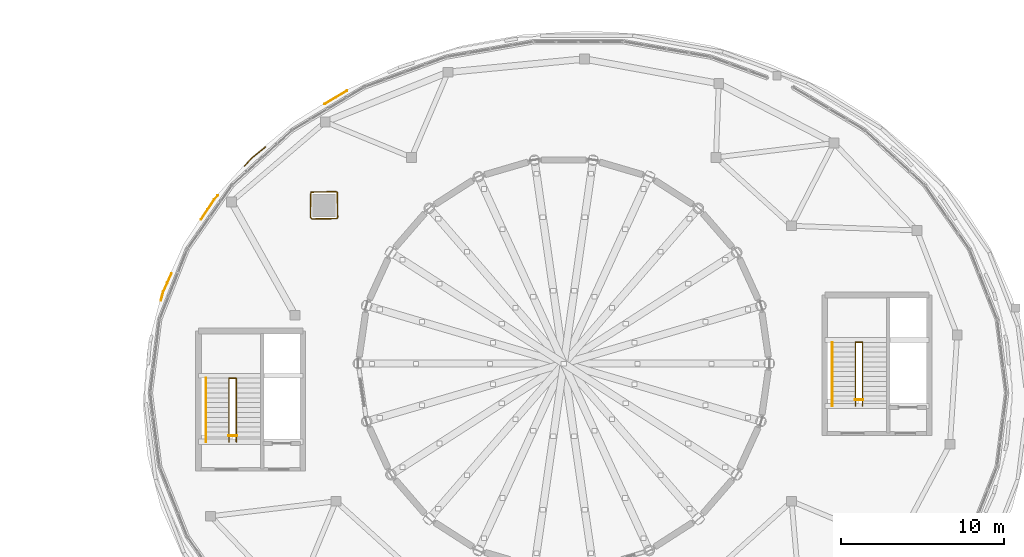
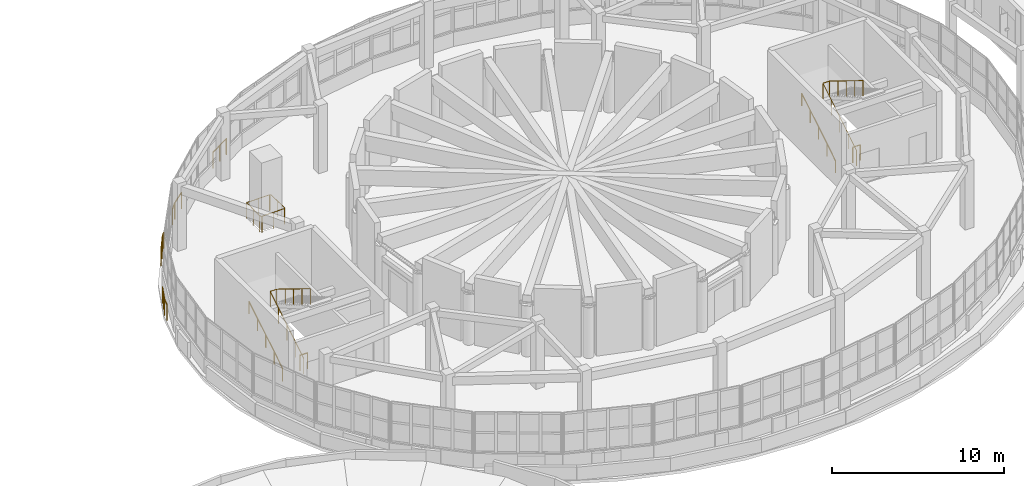
# One storey, part 67 of 69: 12 railings.
"""IFC4 building model written with IfcOpenShell, lengths in metres."""

import ifcopenshell
import ifcopenshell.guid

model = None  # the IFC model being written
_history = None  # IfcOwnerHistory: only IFC2X3 demands one
_inside = {}  # id of a spatial element -> (the spatial element, [elements in it])
_under = {}  # id of a project, library or spatial element -> (it, [spatial elements below it])
_declared = {}  # id of a project -> (the project, [libraries it declares])
_typed = {}  # id of a type object -> (the type object, [elements of that type])
_made_of = {}  # id of a material, layer set ... -> (it, [elements and type objects made of it])


def new_model(schema):
    """Start an empty IFC model of exactly this schema.

    Asked for "IFC4X3", IfcOpenShell would pick the latest addendum, in which some entities
    have other attributes; the version numbers below select the first issue.
    IFC2X3 requires an IfcOwnerHistory on every rooted entity: one is made here for all.
    """
    global model, _history
    if schema == "IFC4X3":
        model = ifcopenshell.file(schema_version=(4, 3, 0, 0))
    else:
        model = ifcopenshell.file(schema=schema)
    _inside.clear()
    _under.clear()
    _declared.clear()
    _typed.clear()
    _made_of.clear()
    _history = None
    if model.schema == "IFC2X3":
        org = make("IfcOrganization", Name="unknown")
        user = make(
            "IfcPersonAndOrganization",
            ThePerson=make("IfcPerson", FamilyName="unknown"),
            TheOrganization=org,
        )
        app = make(
            "IfcApplication",
            ApplicationDeveloper=org,
            Version="unknown",
            ApplicationFullName="unknown",
            ApplicationIdentifier="unknown",
        )
        _history = make(
            "IfcOwnerHistory",
            OwningUser=user,
            OwningApplication=app,
            ChangeAction="ADDED",
            CreationDate=0,
        )
    return model


def make(cls, **values):
    """One entity of the class cls with the attributes given. An attribute that is None is left unset."""
    return model.create_entity(
        cls, **{name: value for name, value in values.items() if value is not None}
    )


def rooted(cls, **values):
    """An entity with a GlobalId (a new one), such as an element, a storey or a relation."""
    return make(cls, GlobalId=ifcopenshell.guid.new(), OwnerHistory=_history, **values)


def si_unit(unit_type, name, prefix=None):
    """IfcSIUnit, for example si_unit("LENGTHUNIT", "METRE", prefix="MILLI")."""
    return make("IfcSIUnit", UnitType=unit_type, Prefix=prefix, Name=name)


def assignment(units):
    """IfcUnitAssignment: the units of a project."""
    return None if units is None else make("IfcUnitAssignment", Units=units)


def point(xyz):
    """IfcCartesianPoint."""
    return None if xyz is None else make("IfcCartesianPoint", Coordinates=xyz)


def direction(xyz):
    """IfcDirection."""
    return None if xyz is None else make("IfcDirection", DirectionRatios=xyz)


def frame(location, z_axis=None, x_axis=None):
    """IfcAxis2Placement3D, a coordinate frame: its origin and axes. An axis left out is left unset."""
    return make(
        "IfcAxis2Placement3D",
        Location=point(location),
        Axis=direction(z_axis),
        RefDirection=direction(x_axis),
    )


def frame_2d(location, x_axis=None):
    """IfcAxis2Placement2D, a coordinate frame in the plane: its origin and x axis."""
    return make(
        "IfcAxis2Placement2D", Location=point(location), RefDirection=direction(x_axis)
    )


def origin():
    """The frame at (0, 0, 0) with its axes left unset."""
    return frame((0.0, 0.0, 0.0))


def origin_2d():
    """The frame at (0, 0) in the plane with its x axis left unset."""
    return frame_2d((0.0, 0.0))


def place(relative_to, where):
    """IfcLocalPlacement: puts the frame where relative to a parent placement (None: the world)."""
    return make(
        "IfcLocalPlacement", PlacementRelTo=relative_to, RelativePlacement=where
    )


def context(
    kind, dimensions, precision=None, world=None, true_north=None, identifier=None
):
    """IfcGeometricRepresentationContext, for example the 3D "Model" context."""
    return make(
        "IfcGeometricRepresentationContext",
        ContextIdentifier=identifier,
        ContextType=kind,
        CoordinateSpaceDimension=dimensions,
        Precision=precision,
        WorldCoordinateSystem=world,
        TrueNorth=true_north,
    )


def subcontext(parent, identifier, kind, view, scale=None):
    """IfcGeometricRepresentationSubContext, for example "Body" below "Model"."""
    return make(
        "IfcGeometricRepresentationSubContext",
        ContextIdentifier=identifier,
        ContextType=kind,
        ParentContext=parent,
        TargetScale=scale,
        TargetView=view,
    )


def project(units=None, contexts=None):
    """IfcProject with its units and contexts."""
    return rooted(
        "IfcProject",
        Name="project",
        RepresentationContexts=contexts,
        UnitsInContext=assignment(units),
    )


def spatial(cls, under=None, at=None, **own):
    """A site, building, storey or space (cls), placed at a placement, below another one or the project."""
    s = rooted(cls, ObjectPlacement=at, **own)
    if under is not None:
        _under.setdefault(under.id(), (under, []))[1].append(s)
    return s


def profile(cls, at=None, kind="AREA", **sizes):
    """A parametric profile (cls). Its sizes go by their IFC names, for example OverallWidth=200.0."""
    return make(cls, ProfileType=kind, Position=at, **sizes)


def circle(**sizes):
    """IfcCircleProfileDef."""
    return profile("IfcCircleProfileDef", **sizes)


def extrude(swept, where, along, depth):
    """IfcExtrudedAreaSolid: the profile swept, set in the frame where, extruded along a direction by depth."""
    return make(
        "IfcExtrudedAreaSolid",
        SweptArea=swept,
        Position=where,
        ExtrudedDirection=direction(along),
        Depth=depth,
    )


def shape(context_of_items, identifier, shape_type, items):
    """IfcShapeRepresentation: the items that make up one representation, for example the "Body"."""
    return make(
        "IfcShapeRepresentation",
        ContextOfItems=context_of_items,
        RepresentationIdentifier=identifier,
        RepresentationType=shape_type,
        Items=items,
    )


def material(Name=None, Category=None):
    """IfcMaterial."""
    return make("IfcMaterial", Name=Name, Category=Category)


def made_of(thing, what):
    """Note that an element or type object is made of a material, layer set ...; save() writes the relation."""
    if what is not None:
        _made_of.setdefault(what.id(), (what, []))[1].append(thing)
    return thing


def type_object(cls, material=None, **own):
    """A type object (cls), such as IfcWallType, which elements share."""
    return made_of(rooted(cls, **own), material)


def element(
    cls,
    number,
    at=None,
    inside=None,
    cuts=None,
    type_object=None,
    material=None,
    context=None,
    identifier="Body",
    shape_type=None,
    held_by="IfcProductDefinitionShape",
    body=None,
    shapes=None,
    **own,
):
    """One element of the class cls, such as IfcWall. Its Tag is "e" and its number.

    at: its placement. inside: the storey or other place that contains it. cuts: it is an
    opening in that element (IfcRelVoidsElement). A single representation is given by context,
    identifier, shape_type and body (its items); several are given by shapes. held_by: the class
    of the entity that holds the representations. save() writes the other relations.
    """
    e = rooted(cls, Tag="e%d" % number, ObjectPlacement=at, **own)
    if body is not None:
        shapes = [shape(context, identifier, shape_type, body)]
    if shapes is not None:
        e.Representation = make(held_by, Representations=shapes)
    if inside is not None:
        _inside.setdefault(inside.id(), (inside, []))[1].append(e)
    if cuts is not None:
        rooted(
            "IfcRelVoidsElement", RelatingBuildingElement=cuts, RelatedOpeningElement=e
        )
    if type_object is not None:
        _typed.setdefault(type_object.id(), (type_object, []))[1].append(e)
    return made_of(e, material)


def aggregate(whole, parts):
    """IfcRelAggregates: a whole, such as a stair, and the parts it consists of."""
    return rooted("IfcRelAggregates", RelatingObject=whole, RelatedObjects=parts)


def save(model, path):
    """Write the relations noted so far, then the file.

    IfcRelAggregates (storeys below a building ...), IfcRelContainedInSpatialStructure (elements
    in a storey), IfcRelDefinesByType, IfcRelAssociatesMaterial and IfcRelDeclares: one each for
    every whole, place, type object, material and project.
    """
    for whole, parts in _under.values():
        aggregate(whole, parts)
    for where, things in _inside.values():
        rooted(
            "IfcRelContainedInSpatialStructure",
            RelatedElements=things,
            RelatingStructure=where,
        )
    for kind, things in _typed.values():
        rooted("IfcRelDefinesByType", RelatedObjects=things, RelatingType=kind)
    for what, things in _made_of.values():
        rooted("IfcRelAssociatesMaterial", RelatedObjects=things, RelatingMaterial=what)
    for by, libraries in _declared.values():
        rooted("IfcRelDeclares", RelatingContext=by, RelatedDefinitions=libraries)
    model.write(path)


model = new_model("IFC4")

# Units and contexts
model_context = context("Model", 3, precision=1e-05, world=origin(), true_north=direction((0.0, 1.0)))
body_context = subcontext(model_context, "Body", "Model", "MODEL_VIEW")
ifc_project = project(units=[si_unit("LENGTHUNIT", "METRE"), si_unit("AREAUNIT", "SQUARE_METRE"), si_unit("VOLUMEUNIT", "CUBIC_METRE"), si_unit("PLANEANGLEUNIT", "RADIAN"), si_unit("MASSUNIT", "GRAM", prefix="KILO")], contexts=[model_context])

# Site, building, storey
site_placement = place(None, origin())
site = spatial("IfcSite", under=ifc_project, at=site_placement, CompositionType="ELEMENT")
building_placement = place(site_placement, origin())
building = spatial("IfcBuilding", under=site, at=building_placement, Name="Pelvatis Terrace Science Centre", CompositionType="ELEMENT")
storey_placement = place(building_placement, frame((0.0, 0.0, 15.0)))
storey = spatial("IfcBuildingStorey", under=building, at=storey_placement, Name="L03", CompositionType="ELEMENT", Elevation=15.0)

# Railings
ifc_material_1 = material(Name="Bronze-anodised aluminium and laminated safety glass balustrade", Category="aluminium")
railing_type_1 = type_object("IfcRailingType", Name="RLG-BAL-1150", PredefinedType="BALUSTRADE", material=ifc_material_1)
railing_1_placement = place(storey_placement, frame((84.502197265625, 89.676513671875, 0.0)))
element("IfcRailing", 1, at=railing_1_placement, inside=storey, type_object=railing_type_1, Name="Perimeter edge balustrade RLG-EDG-L03-343", PredefinedType="BALUSTRADE", context=body_context, shape_type="SweptSolid", body=[
    extrude(circle(Radius=0.02392578125, at=origin_2d()), frame((0.0, 0.0, 1.1259765625), z_axis=(0.25470185943, 0.967019628965, 0.0), x_axis=(-0.967019628965, 0.25470185943, 0.0)), (0.0, 0.0, 1.0), 0.5185546875),
    extrude(circle(Radius=0.02392578125, at=origin_2d()), frame((0.132080078125, 0.50146484375, 1.1259765625), z_axis=(0.411063667156, 0.911606637506, 0.0), x_axis=(-0.911606637506, 0.411063667156, 0.0)), (0.0, 0.0, 1.0), 1.26318359375),
    extrude(circle(Radius=0.02099609375, at=origin_2d()), origin(), (0.0, 0.0, 1.0), 1.101806640625),
    extrude(circle(Radius=0.02099609375, at=origin_2d()), frame((0.132080078125, 0.50146484375, 0.0)), (0.0, 0.0, 1.0), 1.101806640625),
    extrude(circle(Radius=0.02099609375, at=origin_2d()), frame((0.3916015625, 1.0771484375, 0.0)), (0.0, 0.0, 1.0), 1.101806640625),
    extrude(circle(Radius=0.02099609375, at=origin_2d()), frame((0.6513671875, 1.653076171875, 0.0)), (0.0, 0.0, 1.0), 1.101806640625),
])
railing_2_placement = place(storey_placement, frame((86.960693359375, 94.631103515625, 0.0)))
element("IfcRailing", 2, at=railing_2_placement, inside=storey, type_object=railing_type_1, Name="Perimeter edge balustrade RLG-EDG-L03-344", PredefinedType="BALUSTRADE", context=body_context, shape_type="SweptSolid", body=[
    extrude(circle(Radius=0.02392578125, at=origin_2d()), frame((0.0, 0.0, 1.1259765625), z_axis=(0.551013504073, 0.834496326133, 0.0), x_axis=(-0.834496326133, 0.551013504073, 0.0)), (0.0, 0.0, 1.0), 1.46923828125),
    extrude(circle(Radius=0.02392578125, at=origin_2d()), frame((0.8095703125, 1.22607421875, 1.1259765625), z_axis=(0.670853573521, 0.741589834675, 0.0), x_axis=(-0.741589834675, 0.670853573521, 0.0)), (0.0, 0.0, 1.0), 0.321044921875),
    extrude(circle(Radius=0.02099609375, at=origin_2d()), origin(), (0.0, 0.0, 1.0), 1.101806640625),
    extrude(circle(Radius=0.02099609375, at=origin_2d()), frame((0.40478515625, 0.613037109375, 0.0)), (0.0, 0.0, 1.0), 1.101806640625),
    extrude(circle(Radius=0.02099609375, at=origin_2d()), frame((0.8095703125, 1.22607421875, 0.0)), (0.0, 0.0, 1.0), 1.101806640625),
    extrude(circle(Radius=0.02099609375, at=origin_2d()), frame((1.02490234375, 1.464111328125, 0.0)), (0.0, 0.0, 1.0), 1.101806640625),
])
railing_3_placement = place(storey_placement, frame((89.63427734375, 97.91650390625, 0.0)))
element("IfcRailing", 3, at=railing_3_placement, inside=storey, type_object=railing_type_1, Name="Perimeter edge balustrade RLG-EDG-L03-345", PredefinedType="BALUSTRADE", context=body_context, shape_type="SweptSolid", body=[
    extrude(circle(Radius=0.02392578125, at=origin_2d()), frame((0.0, 0.0, 1.1259765625), z_axis=(0.671199650785, 0.741276620963, 0.0), x_axis=(-0.741276620963, 0.671199650785, 0.0)), (0.0, 0.0, 1.0), 0.602783203125),
    extrude(circle(Radius=0.02392578125, at=origin_2d()), frame((0.404541015625, 0.44677734375, 1.1259765625), z_axis=(0.770423985124, 0.637531868338, 0.0), x_axis=(-0.637531868338, 0.770423985124, 0.0)), (0.0, 0.0, 1.0), 1.115234375),
    extrude(circle(Radius=0.02099609375, at=origin_2d()), origin(), (0.0, 0.0, 1.0), 1.101806640625),
    extrude(circle(Radius=0.02099609375, at=origin_2d()), frame((0.404541015625, 0.44677734375, 0.0)), (0.0, 0.0, 1.0), 1.101806640625),
    extrude(circle(Radius=0.02099609375, at=origin_2d()), frame((1.263671875, 1.15771484375, 0.0)), (0.0, 0.0, 1.0), 1.101806640625),
])
railing_4_placement = place(storey_placement, frame((94.541015625, 101.707763671875, 0.0)))
element("IfcRailing", 4, at=railing_4_placement, inside=storey, type_object=railing_type_1, Name="Perimeter edge balustrade RLG-EDG-L03-346", PredefinedType="BALUSTRADE", context=body_context, shape_type="SweptSolid", body=[
    extrude(circle(Radius=0.02392578125, at=origin_2d()), frame((0.0, 0.0, 1.1259765625), z_axis=(0.857816677477, 0.513955783938, 0.0), x_axis=(-0.513955783938, 0.857816677477, 0.0)), (0.0, 0.0, 1.0), 1.59619140625),
    extrude(circle(Radius=0.02099609375, at=origin_2d()), origin(), (0.0, 0.0, 1.0), 1.101806640625),
    extrude(circle(Radius=0.02099609375, at=origin_2d()), frame((0.6845703125, 0.41015625, 0.0)), (0.0, 0.0, 1.0), 1.101806640625),
    extrude(circle(Radius=0.02099609375, at=origin_2d()), frame((1.369140625, 0.8203125, 0.0)), (0.0, 0.0, 1.0), 1.101806640625),
])
railing_5_placement = place(storey_placement, frame((93.6650390625, 94.764892578125, 0.0)))
element("IfcRailing", 5, at=railing_5_placement, inside=storey, type_object=railing_type_1, Name="Perimeter edge balustrade RLG-EDG-L03-380", PredefinedType="BALUSTRADE", context=body_context, shape_type="SweptSolid", body=[
    extrude(circle(Radius=0.02392578125, at=origin_2d()), frame((0.0, 0.0, 1.1259765625), z_axis=(0.69740361411, -0.716678588369, 0.0), x_axis=(0.716678588369, 0.69740361411, 0.0)), (0.0, 0.0, 1.0), 0.139404296875),
    extrude(circle(Radius=0.02392578125, at=origin_2d()), frame((0.09716796875, -0.099853515625, 1.1259765625), z_axis=(0.999842712423, 0.017735569178, 0.0), x_axis=(-0.017735569178, 0.999842712423, 0.0)), (0.0, 0.0, 1.0), 1.541748046875),
    extrude(circle(Radius=0.02392578125, at=origin_2d()), frame((1.638671875, -0.072509765625, 1.1259765625), z_axis=(0.395784388511, 0.918343463967, 0.0), x_axis=(-0.918343463967, 0.395784388511, 0.0)), (0.0, 0.0, 1.0), 0.078857421875),
    extrude(circle(Radius=0.02392578125, at=origin_2d()), frame((1.669921875, 0.0, 1.1259765625), z_axis=(-0.017766511544, 0.999842163078, 0.0), x_axis=(-0.999842163078, -0.017766511544, 0.0)), (0.0, 0.0, 1.0), 1.5390625),
    extrude(circle(Radius=0.02099609375, at=origin_2d()), origin(), (0.0, 0.0, 1.0), 1.101806640625),
    extrude(circle(Radius=0.02099609375, at=origin_2d()), frame((0.09716796875, -0.099853515625, 0.0)), (0.0, 0.0, 1.0), 1.101806640625),
    extrude(circle(Radius=0.02099609375, at=origin_2d()), frame((0.867919921875, -0.086181640625, 0.0)), (0.0, 0.0, 1.0), 1.101806640625),
    extrude(circle(Radius=0.02099609375, at=origin_2d()), frame((1.638671875, -0.072509765625, 0.0)), (0.0, 0.0, 1.0), 1.101806640625),
    extrude(circle(Radius=0.02099609375, at=origin_2d()), frame((1.669921875, 0.0, 0.0)), (0.0, 0.0, 1.0), 1.101806640625),
    extrude(circle(Radius=0.02099609375, at=origin_2d()), frame((1.65625, 0.76953125, 0.0)), (0.0, 0.0, 1.0), 1.101806640625),
    extrude(circle(Radius=0.02099609375, at=origin_2d()), frame((1.642578125, 1.538818359375, 0.0)), (0.0, 0.0, 1.0), 1.101806640625),
])
railing_6_placement = place(storey_placement, frame((95.3076171875, 96.3037109375, 0.0)))
element("IfcRailing", 6, at=railing_6_placement, inside=storey, type_object=railing_type_1, Name="Perimeter edge balustrade RLG-EDG-L03-381", PredefinedType="BALUSTRADE", context=body_context, shape_type="SweptSolid", body=[
    extrude(circle(Radius=0.02392578125, at=origin_2d()), frame((0.0, 0.0, 1.1259765625), z_axis=(-0.918343463967, 0.395784388511, 0.0), x_axis=(-0.395784388511, -0.918343463967, 0.0)), (0.0, 0.0, 1.0), 0.078857421875),
    extrude(circle(Radius=0.02392578125, at=origin_2d()), frame((-0.072509765625, 0.03125, 1.1259765625), z_axis=(-0.999842163078, -0.017766511544, 0.0), x_axis=(0.017766511544, -0.999842163078, 0.0)), (0.0, 0.0, 1.0), 1.5390625),
    extrude(circle(Radius=0.02392578125, at=origin_2d()), frame((-1.611328125, 0.00390625, 1.1259765625), z_axis=(-0.020252215155, -0.999794902858, 0.0), x_axis=(0.999794902858, -0.020252215155, 0.0)), (0.0, 0.0, 1.0), 1.54296875),
    extrude(circle(Radius=0.02099609375, at=origin_2d()), origin(), (0.0, 0.0, 1.0), 1.101806640625),
    extrude(circle(Radius=0.02099609375, at=origin_2d()), frame((-0.072509765625, 0.03125, 0.0)), (0.0, 0.0, 1.0), 1.101806640625),
    extrude(circle(Radius=0.02099609375, at=origin_2d()), frame((-0.841796875, 0.017578125, 0.0)), (0.0, 0.0, 1.0), 1.101806640625),
    extrude(circle(Radius=0.02099609375, at=origin_2d()), frame((-1.611328125, 0.00390625, 0.0)), (0.0, 0.0, 1.0), 1.101806640625),
    extrude(circle(Radius=0.02099609375, at=origin_2d()), frame((-1.626953125, -0.767578125, 0.0)), (0.0, 0.0, 1.0), 1.101806640625),
    extrude(circle(Radius=0.02099609375, at=origin_2d()), frame((-1.642578125, -1.538818359375, 0.0)), (0.0, 0.0, 1.0), 1.101806640625),
])
ifc_material_2 = material(Name="Brushed architectural bronze tubular railing", Category="steel")
railing_type_2 = type_object("IfcRailingType", Name="RLG-GRD-1120", PredefinedType="GUARDRAIL", material=ifc_material_2)
railing_7_placement = place(storey_placement, frame((88.679931640625, 81.0, 0.0)))
element("IfcRailing", 7, at=railing_7_placement, inside=storey, type_object=railing_type_2, Name="Stair ST-01-L03 inner well guardrail", PredefinedType="GUARDRAIL", context=body_context, shape_type="SweptSolid", body=[
    extrude(circle(Radius=0.02392578125, at=origin_2d()), frame((0.0, 0.0, 1.09619140625), z_axis=(0.0, 0.851661977835, 0.524091476281), x_axis=(-1.0, 0.0, 0.0)), (0.0, 0.0, 1.0), 4.5791015625),
    extrude(circle(Radius=0.02392578125, at=origin_2d()), frame((0.0, 3.89990234375, 3.49609375), z_axis=(1.0, 0.0, 0.0), x_axis=(0.0, 1.0, 0.0)), (0.0, 0.0, 1.0), 0.440185546875),
    extrude(circle(Radius=0.02392578125, at=origin_2d()), frame((0.440185546875, 3.89990234375, 3.49609375), z_axis=(0.0, -0.851638180308, 0.5241301459), x_axis=(1.0, 0.0, 0.0)), (0.0, 0.0, 1.0), 4.579345703125),
    extrude(circle(Radius=0.02099609375, at=origin_2d()), origin(), (0.0, 0.0, 1.0), 1.072021484375),
    extrude(circle(Radius=0.02099609375, at=origin_2d()), frame((0.0, 0.97509765625, 0.60009765625)), (0.0, 0.0, 1.0), 1.072021484375),
    extrude(circle(Radius=0.02099609375, at=origin_2d()), frame((0.0, 1.949951171875, 1.199951171875)), (0.0, 0.0, 1.0), 1.072021484375),
    extrude(circle(Radius=0.02099609375, at=origin_2d()), frame((0.0, 2.9248046875, 1.7998046875)), (0.0, 0.0, 1.0), 1.072021484375),
    extrude(circle(Radius=0.02099609375, at=origin_2d()), frame((0.0, 3.89990234375, 2.39990234375)), (0.0, 0.0, 1.0), 1.072021484375),
    extrude(circle(Radius=0.02099609375, at=origin_2d()), frame((0.440185546875, 3.89990234375, 2.39990234375)), (0.0, 0.0, 1.0), 1.072021484375),
    extrude(circle(Radius=0.02099609375, at=origin_2d()), frame((0.440185546875, 2.9248046875, 3.0)), (0.0, 0.0, 1.0), 1.072021484375),
    extrude(circle(Radius=0.02099609375, at=origin_2d()), frame((0.440185546875, 1.949951171875, 3.60009765625)), (0.0, 0.0, 1.0), 1.072021484375),
    extrude(circle(Radius=0.02099609375, at=origin_2d()), frame((0.440185546875, 0.97509765625, 4.199951171875)), (0.0, 0.0, 1.0), 1.072021484375),
    extrude(circle(Radius=0.02099609375, at=origin_2d()), frame((0.440185546875, 0.0, 4.800048828125)), (0.0, 0.0, 1.0), 1.072021484375),
])
railing_8_placement = place(storey_placement, frame((88.64990234375, 81.3798828125, 0.0)))
element("IfcRailing", 8, at=railing_8_placement, inside=storey, type_object=railing_type_2, Name="Core C1 landing well slot guard (L03)", PredefinedType="GUARDRAIL", context=body_context, shape_type="SweptSolid", body=[
    extrude(circle(Radius=0.02392578125, at=origin_2d()), frame((0.0, 0.0, 1.09619140625), z_axis=(1.0, 0.0, 0.0), x_axis=(0.0, 1.0, 0.0)), (0.0, 0.0, 1.0), 0.5),
    extrude(circle(Radius=0.02099609375, at=origin_2d()), origin(), (0.0, 0.0, 1.0), 1.072021484375),
    extrude(circle(Radius=0.02099609375, at=origin_2d()), frame((0.5, 0.0, 0.0)), (0.0, 0.0, 1.0), 1.072021484375),
])
railing_9_placement = place(storey_placement, frame((127.080078125, 83.199951171875, 0.0)))
element("IfcRailing", 9, at=railing_9_placement, inside=storey, type_object=railing_type_2, Name="Stair ST-02-L03 inner well guardrail", PredefinedType="GUARDRAIL", context=body_context, shape_type="SweptSolid", body=[
    extrude(circle(Radius=0.02392578125, at=origin_2d()), frame((0.0, 0.0, 1.09619140625), z_axis=(0.0, 0.851676621109, 0.524067679844), x_axis=(-1.0, 0.0, 0.0)), (0.0, 0.0, 1.0), 4.579345703125),
    extrude(circle(Radius=0.02392578125, at=origin_2d()), frame((0.0, 3.900146484375, 3.49609375), z_axis=(1.0, 0.0, 0.0), x_axis=(0.0, 1.0, 0.0)), (0.0, 0.0, 1.0), 0.43994140625),
    extrude(circle(Radius=0.02392578125, at=origin_2d()), frame((0.43994140625, 3.900146484375, 3.49609375), z_axis=(0.0, -0.851652825334, 0.524106349037), x_axis=(1.0, 0.0, 0.0)), (0.0, 0.0, 1.0), 4.57958984375),
    extrude(circle(Radius=0.02099609375, at=origin_2d()), origin(), (0.0, 0.0, 1.0), 1.072021484375),
    extrude(circle(Radius=0.02099609375, at=origin_2d()), frame((0.0, 0.97509765625, 0.60009765625)), (0.0, 0.0, 1.0), 1.072021484375),
    extrude(circle(Radius=0.02099609375, at=origin_2d()), frame((0.0, 1.9501953125, 1.199951171875)), (0.0, 0.0, 1.0), 1.072021484375),
    extrude(circle(Radius=0.02099609375, at=origin_2d()), frame((0.0, 2.925048828125, 1.7998046875)), (0.0, 0.0, 1.0), 1.072021484375),
    extrude(circle(Radius=0.02099609375, at=origin_2d()), frame((0.0, 3.900146484375, 2.39990234375)), (0.0, 0.0, 1.0), 1.072021484375),
    extrude(circle(Radius=0.02099609375, at=origin_2d()), frame((0.43994140625, 3.900146484375, 2.39990234375)), (0.0, 0.0, 1.0), 1.072021484375),
    extrude(circle(Radius=0.02099609375, at=origin_2d()), frame((0.43994140625, 2.925048828125, 3.0)), (0.0, 0.0, 1.0), 1.072021484375),
    extrude(circle(Radius=0.02099609375, at=origin_2d()), frame((0.43994140625, 1.9501953125, 3.60009765625)), (0.0, 0.0, 1.0), 1.072021484375),
    extrude(circle(Radius=0.02099609375, at=origin_2d()), frame((0.43994140625, 0.97509765625, 4.199951171875)), (0.0, 0.0, 1.0), 1.072021484375),
    extrude(circle(Radius=0.02099609375, at=origin_2d()), frame((0.43994140625, 0.0, 4.800048828125)), (0.0, 0.0, 1.0), 1.072021484375),
])
railing_10_placement = place(storey_placement, frame((127.050048828125, 83.580078125, 0.0)))
element("IfcRailing", 10, at=railing_10_placement, inside=storey, type_object=railing_type_2, Name="Core C2 landing well slot guard (L03)", PredefinedType="GUARDRAIL", context=body_context, shape_type="SweptSolid", body=[
    extrude(circle(Radius=0.02392578125, at=origin_2d()), frame((0.0, 0.0, 1.09619140625), z_axis=(1.0, 0.0, 0.0), x_axis=(0.0, 1.0, 0.0)), (0.0, 0.0, 1.0), 0.5),
    extrude(circle(Radius=0.02099609375, at=origin_2d()), origin(), (0.0, 0.0, 1.0), 1.072021484375),
    extrude(circle(Radius=0.02099609375, at=origin_2d()), frame((0.5, 0.0, 0.0)), (0.0, 0.0, 1.0), 1.072021484375),
])
ifc_material_3 = material(Name="Brushed architectural bronze tubular railing", Category="steel")
railing_type_3 = type_object("IfcRailingType", Name="RLG-HND-0900", PredefinedType="HANDRAIL", material=ifc_material_3)
railing_11_placement = place(storey_placement, frame((87.260009765625, 81.0, 0.0)))
element("IfcRailing", 11, at=railing_11_placement, inside=storey, type_object=railing_type_3, Name="Stair ST-01-L03 wall handrail", PredefinedType="HANDRAIL", context=body_context, shape_type="SweptSolid", body=[
    extrude(circle(Radius=0.02392578125, at=origin_2d()), frame((0.0, 0.0, 0.8759765625), z_axis=(0.0, 0.851661977835, 0.524091476281), x_axis=(-1.0, 0.0, 0.0)), (0.0, 0.0, 1.0), 4.5791015625),
    extrude(circle(Radius=0.02099609375, at=origin_2d()), origin(), (0.0, 0.0, 1.0), 0.851806640625),
    extrude(circle(Radius=0.02099609375, at=origin_2d()), frame((0.0, 0.97509765625, 0.60009765625)), (0.0, 0.0, 1.0), 0.851806640625),
    extrude(circle(Radius=0.02099609375, at=origin_2d()), frame((0.0, 1.949951171875, 1.199951171875)), (0.0, 0.0, 1.0), 0.851806640625),
    extrude(circle(Radius=0.02099609375, at=origin_2d()), frame((0.0, 2.9248046875, 1.7998046875)), (0.0, 0.0, 1.0), 0.851806640625),
    extrude(circle(Radius=0.02099609375, at=origin_2d()), frame((0.0, 3.89990234375, 2.39990234375)), (0.0, 0.0, 1.0), 0.851806640625),
])
railing_12_placement = place(storey_placement, frame((125.659912109375, 83.199951171875, 0.0)))
element("IfcRailing", 12, at=railing_12_placement, inside=storey, type_object=railing_type_3, Name="Stair ST-02-L03 wall handrail", PredefinedType="HANDRAIL", context=body_context, shape_type="SweptSolid", body=[
    extrude(circle(Radius=0.02392578125, at=origin_2d()), frame((0.0, 0.0, 0.8759765625), z_axis=(0.0, 0.851676621109, 0.524067679844), x_axis=(-1.0, 0.0, 0.0)), (0.0, 0.0, 1.0), 4.579345703125),
    extrude(circle(Radius=0.02099609375, at=origin_2d()), origin(), (0.0, 0.0, 1.0), 0.851806640625),
    extrude(circle(Radius=0.02099609375, at=origin_2d()), frame((0.0, 0.97509765625, 0.60009765625)), (0.0, 0.0, 1.0), 0.851806640625),
    extrude(circle(Radius=0.02099609375, at=origin_2d()), frame((0.0, 1.9501953125, 1.199951171875)), (0.0, 0.0, 1.0), 0.851806640625),
    extrude(circle(Radius=0.02099609375, at=origin_2d()), frame((0.0, 2.925048828125, 1.7998046875)), (0.0, 0.0, 1.0), 0.851806640625),
    extrude(circle(Radius=0.02099609375, at=origin_2d()), frame((0.0, 3.900146484375, 2.39990234375)), (0.0, 0.0, 1.0), 0.851806640625),
])

save(model, "model.ifc")
